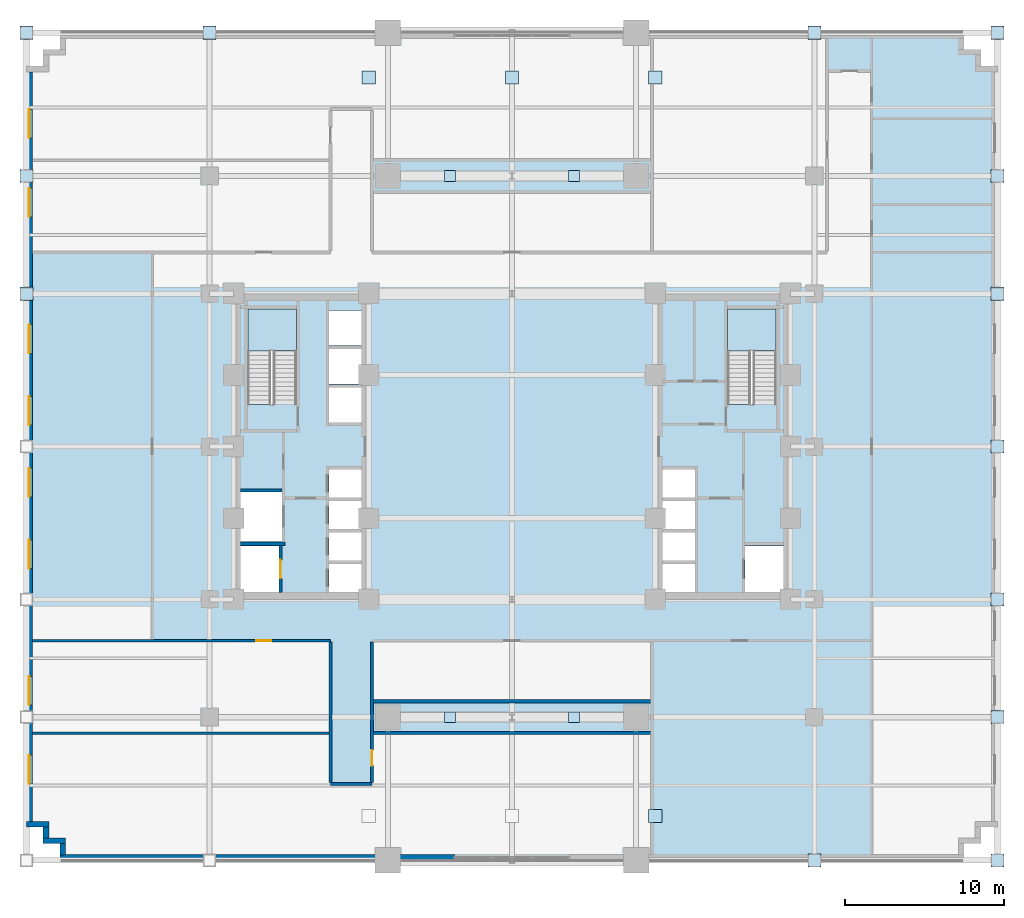
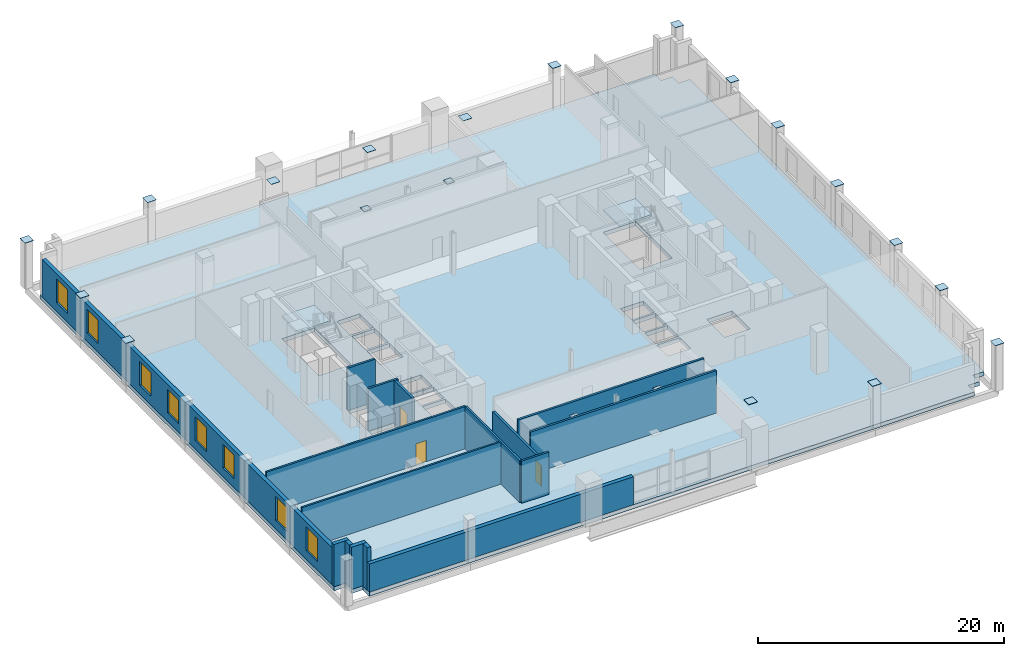
# One storey, part 6 of 17: 21 plates, 16 walls, 8 windows, 3 doors, 3 slabs, 11 openings, 2 elements without a shape of their own.
"""IFC4 building model written with IfcOpenShell, lengths in metres."""

import ifcopenshell
import ifcopenshell.guid

model = None  # the IFC model being written
_history = None  # IfcOwnerHistory: only IFC2X3 demands one
_inside = {}  # id of a spatial element -> (the spatial element, [elements in it])
_under = {}  # id of a project, library or spatial element -> (it, [spatial elements below it])
_declared = {}  # id of a project -> (the project, [libraries it declares])
_typed = {}  # id of a type object -> (the type object, [elements of that type])
_made_of = {}  # id of a material, layer set ... -> (it, [elements and type objects made of it])


def new_model(schema):
    """Start an empty IFC model of exactly this schema.

    Asked for "IFC4X3", IfcOpenShell would pick the latest addendum, in which some entities
    have other attributes; the version numbers below select the first issue.
    IFC2X3 requires an IfcOwnerHistory on every rooted entity: one is made here for all.
    """
    global model, _history
    if schema == "IFC4X3":
        model = ifcopenshell.file(schema_version=(4, 3, 0, 0))
    else:
        model = ifcopenshell.file(schema=schema)
    _inside.clear()
    _under.clear()
    _declared.clear()
    _typed.clear()
    _made_of.clear()
    _history = None
    if model.schema == "IFC2X3":
        org = make("IfcOrganization", Name="unknown")
        user = make(
            "IfcPersonAndOrganization",
            ThePerson=make("IfcPerson", FamilyName="unknown"),
            TheOrganization=org,
        )
        app = make(
            "IfcApplication",
            ApplicationDeveloper=org,
            Version="unknown",
            ApplicationFullName="unknown",
            ApplicationIdentifier="unknown",
        )
        _history = make(
            "IfcOwnerHistory",
            OwningUser=user,
            OwningApplication=app,
            ChangeAction="ADDED",
            CreationDate=0,
        )
    return model


def make(cls, **values):
    """One entity of the class cls with the attributes given. An attribute that is None is left unset."""
    return model.create_entity(
        cls, **{name: value for name, value in values.items() if value is not None}
    )


def rooted(cls, **values):
    """An entity with a GlobalId (a new one), such as an element, a storey or a relation."""
    return make(cls, GlobalId=ifcopenshell.guid.new(), OwnerHistory=_history, **values)


def si_unit(unit_type, name, prefix=None):
    """IfcSIUnit, for example si_unit("LENGTHUNIT", "METRE", prefix="MILLI")."""
    return make("IfcSIUnit", UnitType=unit_type, Prefix=prefix, Name=name)


def assignment(units):
    """IfcUnitAssignment: the units of a project."""
    return None if units is None else make("IfcUnitAssignment", Units=units)


def point(xyz):
    """IfcCartesianPoint."""
    return None if xyz is None else make("IfcCartesianPoint", Coordinates=xyz)


def direction(xyz):
    """IfcDirection."""
    return None if xyz is None else make("IfcDirection", DirectionRatios=xyz)


def frame(location, z_axis=None, x_axis=None):
    """IfcAxis2Placement3D, a coordinate frame: its origin and axes. An axis left out is left unset."""
    return make(
        "IfcAxis2Placement3D",
        Location=point(location),
        Axis=direction(z_axis),
        RefDirection=direction(x_axis),
    )


def frame_2d(location, x_axis=None):
    """IfcAxis2Placement2D, a coordinate frame in the plane: its origin and x axis."""
    return make(
        "IfcAxis2Placement2D", Location=point(location), RefDirection=direction(x_axis)
    )


def origin():
    """The frame at (0, 0, 0) with its axes left unset."""
    return frame((0.0, 0.0, 0.0))


def origin_2d():
    """The frame at (0, 0) in the plane with its x axis left unset."""
    return frame_2d((0.0, 0.0))


def place(relative_to, where):
    """IfcLocalPlacement: puts the frame where relative to a parent placement (None: the world)."""
    return make(
        "IfcLocalPlacement", PlacementRelTo=relative_to, RelativePlacement=where
    )


def context(
    kind, dimensions, precision=None, world=None, true_north=None, identifier=None
):
    """IfcGeometricRepresentationContext, for example the 3D "Model" context."""
    return make(
        "IfcGeometricRepresentationContext",
        ContextIdentifier=identifier,
        ContextType=kind,
        CoordinateSpaceDimension=dimensions,
        Precision=precision,
        WorldCoordinateSystem=world,
        TrueNorth=true_north,
    )


def subcontext(parent, identifier, kind, view, scale=None):
    """IfcGeometricRepresentationSubContext, for example "Body" below "Model"."""
    return make(
        "IfcGeometricRepresentationSubContext",
        ContextIdentifier=identifier,
        ContextType=kind,
        ParentContext=parent,
        TargetScale=scale,
        TargetView=view,
    )


def project(units=None, contexts=None):
    """IfcProject with its units and contexts."""
    return rooted(
        "IfcProject",
        Name="project",
        RepresentationContexts=contexts,
        UnitsInContext=assignment(units),
    )


def spatial(cls, under=None, at=None, **own):
    """A site, building, storey or space (cls), placed at a placement, below another one or the project."""
    s = rooted(cls, ObjectPlacement=at, **own)
    if under is not None:
        _under.setdefault(under.id(), (under, []))[1].append(s)
    return s


def polyline(points):
    """IfcPolyline through the points."""
    return make("IfcPolyline", Points=[point(p) for p in points])


def profile(cls, at=None, kind="AREA", **sizes):
    """A parametric profile (cls). Its sizes go by their IFC names, for example OverallWidth=200.0."""
    return make(cls, ProfileType=kind, Position=at, **sizes)


def rectangle(**sizes):
    """IfcRectangleProfileDef."""
    return profile("IfcRectangleProfileDef", **sizes)


def outline(outer, holes=None, kind="AREA"):
    """IfcArbitraryClosedProfileDef: a profile drawn as a closed curve; with holes, ...WithVoids."""
    if holes is None:
        return make("IfcArbitraryClosedProfileDef", ProfileType=kind, OuterCurve=outer)
    return make(
        "IfcArbitraryProfileDefWithVoids",
        ProfileType=kind,
        OuterCurve=outer,
        InnerCurves=holes,
    )


def extrude(swept, where, along, depth):
    """IfcExtrudedAreaSolid: the profile swept, set in the frame where, extruded along a direction by depth."""
    return make(
        "IfcExtrudedAreaSolid",
        SweptArea=swept,
        Position=where,
        ExtrudedDirection=direction(along),
        Depth=depth,
    )


def shape(context_of_items, identifier, shape_type, items):
    """IfcShapeRepresentation: the items that make up one representation, for example the "Body"."""
    return make(
        "IfcShapeRepresentation",
        ContextOfItems=context_of_items,
        RepresentationIdentifier=identifier,
        RepresentationType=shape_type,
        Items=items,
    )


def source(mapping_origin, context_of_items, identifier, shape_type, items):
    """IfcRepresentationMap: a shape defined once, which mapped items show again and again."""
    return make(
        "IfcRepresentationMap",
        MappingOrigin=mapping_origin,
        MappedRepresentation=shape(context_of_items, identifier, shape_type, items),
    )


def transform(
    local_origin,
    x_axis=None,
    y_axis=None,
    z_axis=None,
    scale=None,
    scale2=None,
    scale3=None,
    uniform=True,
):
    """IfcCartesianTransformationOperator3D, or its non-uniform kind. x_axis, y_axis, z_axis: its Axis1, 2, 3."""
    if uniform:
        return make(
            "IfcCartesianTransformationOperator3D",
            Axis1=direction(x_axis),
            Axis2=direction(y_axis),
            LocalOrigin=point(local_origin),
            Scale=scale,
            Axis3=direction(z_axis),
        )
    return make(
        "IfcCartesianTransformationOperator3DnonUniform",
        Axis1=direction(x_axis),
        Axis2=direction(y_axis),
        LocalOrigin=point(local_origin),
        Scale=scale,
        Axis3=direction(z_axis),
        Scale2=scale2,
        Scale3=scale3,
    )


def mapped(mapping_source, mapping_target):
    """IfcMappedItem: shows the shape of a source again, moved by a transform."""
    return make(
        "IfcMappedItem", MappingSource=mapping_source, MappingTarget=mapping_target
    )


def material(Name=None, Category=None):
    """IfcMaterial."""
    return make("IfcMaterial", Name=Name, Category=Category)


def layer(
    of_material, thickness, ventilated=None, Name=None, Category=None, Priority=None
):
    """IfcMaterialLayer: one layer of a wall or slab, of a material (None: an air gap)."""
    return make(
        "IfcMaterialLayer",
        Material=of_material,
        LayerThickness=thickness,
        IsVentilated=ventilated,
        Name=Name,
        Category=Category,
        Priority=Priority,
    )


def layer_set(layers, Name=None):
    """IfcMaterialLayerSet."""
    return make("IfcMaterialLayerSet", MaterialLayers=layers, LayerSetName=Name)


def made_of(thing, what):
    """Note that an element or type object is made of a material, layer set ...; save() writes the relation."""
    if what is not None:
        _made_of.setdefault(what.id(), (what, []))[1].append(thing)
    return thing


def type_object(cls, material=None, **own):
    """A type object (cls), such as IfcWallType, which elements share."""
    return made_of(rooted(cls, **own), material)


def type_shapes(of_type, sources):
    """Give a type object the sources (RepresentationMaps) that its elements show as mapped items."""
    of_type.RepresentationMaps = sources


def element(
    cls,
    number,
    at=None,
    inside=None,
    cuts=None,
    type_object=None,
    material=None,
    context=None,
    identifier="Body",
    shape_type=None,
    held_by="IfcProductDefinitionShape",
    body=None,
    shapes=None,
    **own,
):
    """One element of the class cls, such as IfcWall. Its Tag is "e" and its number.

    at: its placement. inside: the storey or other place that contains it. cuts: it is an
    opening in that element (IfcRelVoidsElement). A single representation is given by context,
    identifier, shape_type and body (its items); several are given by shapes. held_by: the class
    of the entity that holds the representations. save() writes the other relations.
    """
    e = rooted(cls, Tag="e%d" % number, ObjectPlacement=at, **own)
    if body is not None:
        shapes = [shape(context, identifier, shape_type, body)]
    if shapes is not None:
        e.Representation = make(held_by, Representations=shapes)
    if inside is not None:
        _inside.setdefault(inside.id(), (inside, []))[1].append(e)
    if cuts is not None:
        rooted(
            "IfcRelVoidsElement", RelatingBuildingElement=cuts, RelatedOpeningElement=e
        )
    if type_object is not None:
        _typed.setdefault(type_object.id(), (type_object, []))[1].append(e)
    return made_of(e, material)


def fill(opening, filler):
    """IfcRelFillsElement: the door or window that sits in an opening."""
    return rooted(
        "IfcRelFillsElement",
        RelatingOpeningElement=opening,
        RelatedBuildingElement=filler,
    )


def aggregate(whole, parts):
    """IfcRelAggregates: a whole, such as a stair, and the parts it consists of."""
    return rooted("IfcRelAggregates", RelatingObject=whole, RelatedObjects=parts)


def save(model, path):
    """Write the relations noted so far, then the file.

    IfcRelAggregates (storeys below a building ...), IfcRelContainedInSpatialStructure (elements
    in a storey), IfcRelDefinesByType, IfcRelAssociatesMaterial and IfcRelDeclares: one each for
    every whole, place, type object, material and project.
    """
    for whole, parts in _under.values():
        aggregate(whole, parts)
    for where, things in _inside.values():
        rooted(
            "IfcRelContainedInSpatialStructure",
            RelatedElements=things,
            RelatingStructure=where,
        )
    for kind, things in _typed.values():
        rooted("IfcRelDefinesByType", RelatedObjects=things, RelatingType=kind)
    for what, things in _made_of.values():
        rooted("IfcRelAssociatesMaterial", RelatedObjects=things, RelatingMaterial=what)
    for by, libraries in _declared.values():
        rooted("IfcRelDeclares", RelatingContext=by, RelatedDefinitions=libraries)
    model.write(path)


model = new_model("IFC4")

# Units and contexts
model_context = context("Model", 3, precision=1e-05, world=origin(), true_north=direction((0.0, 1.0)))
body_context = subcontext(model_context, "Body", "Model", "MODEL_VIEW")
ifc_project = project(units=[si_unit("LENGTHUNIT", "METRE"), si_unit("AREAUNIT", "SQUARE_METRE"), si_unit("VOLUMEUNIT", "CUBIC_METRE"), si_unit("PLANEANGLEUNIT", "RADIAN"), si_unit("MASSUNIT", "GRAM", prefix="KILO")], contexts=[model_context])

# Site, building, storey
site_placement = place(None, origin())
site = spatial("IfcSite", under=ifc_project, at=site_placement, CompositionType="ELEMENT")
building_placement = place(site_placement, origin())
building = spatial("IfcBuilding", under=site, at=building_placement, Name="Nuvemarco Arch Tower", CompositionType="ELEMENT")
storey_placement = place(building_placement, frame((0.0, 0.0, 23.0)))
storey = spatial("IfcBuildingStorey", under=building, at=storey_placement, Name="L05", CompositionType="ELEMENT", Elevation=23.0)

# Slab
ifc_material_1 = material(Name="Concrete C60/75", Category="concrete")
ifc_layer_1 = layer(ifc_material_1, 0.39990234375, Name="SL-FLR-400")
ifc_layer_set_1 = layer_set([ifc_layer_1], Name="Concrete C60/75")
slab_type_1 = type_object("IfcSlabType", Name="SL-FLR-400", PredefinedType="FLOOR", material=ifc_layer_set_1)
slab_1_placement = place(storey_placement, frame((0.0, 0.0, -0.39990234375)))
element("IfcSlab", 1, at=slab_1_placement, inside=storey, type_object=slab_type_1, Name="L05 structural floor slab", PredefinedType="FLOOR", context=body_context, shape_type="SweptSolid", body=[
    extrude(outline(polyline([(-28.39990234375, -26.0), (28.39990234375, -26.0), (28.39990234375, -24.949951171875), (29.449951171875, -24.949951171875), (29.449951171875, -23.89990234375), (30.5, -23.89990234375), (30.5, 23.89990234375), (29.449951171875, 23.89990234375), (29.449951171875, 24.949951171875), (28.39990234375, 24.949951171875), (28.39990234375, 26.0), (-28.39990234375, 26.0), (-28.39990234375, 24.949951171875), (-29.449951171875, 24.949951171875), (-29.449951171875, 23.89990234375), (-30.5, 23.89990234375), (-30.5, -23.89990234375), (-29.449951171875, -23.89990234375), (-29.449951171875, -24.949951171875), (-28.39990234375, -24.949951171875), (-28.39990234375, -26.0)]), holes=[polyline([(-13.5400390625, 2.669921875), (-13.5400390625, 8.64990234375), (-16.60009765625, 8.64990234375), (-16.60009765625, 2.630615234375), (-15.070068359375, 2.630615234375), (-15.070068359375, 2.669921875), (-13.5400390625, 2.669921875)]), polyline([(16.60009765625, 2.669921875), (16.60009765625, 8.64990234375), (13.5400390625, 8.64990234375), (13.5400390625, 2.630615234375), (15.070068359375, 2.630615234375), (15.070068359375, 2.669921875), (16.60009765625, 2.669921875)]), polyline([(-17.050048828125, -9.14990234375), (-14.64990234375, -9.14990234375), (-14.64990234375, -6.25), (-17.050048828125, -6.25), (-17.050048828125, -9.14990234375)]), polyline([(-17.050048828125, -5.949951171875), (-14.449951171875, -5.949951171875), (-14.449951171875, -2.85009765625), (-17.050048828125, -2.85009765625), (-17.050048828125, -5.949951171875)]), polyline([(-11.5, -9.14990234375), (-9.35009765625, -9.14990234375), (-9.35009765625, -7.3701171875), (-11.5, -7.3701171875), (-11.5, -9.14990234375)]), polyline([(-11.5, -7.169921875), (-9.35009765625, -7.169921875), (-9.35009765625, -5.389892578125), (-11.5, -5.389892578125), (-11.5, -7.169921875)]), polyline([(-11.5, -5.18994140625), (-9.35009765625, -5.18994140625), (-9.35009765625, -3.409912109375), (-11.5, -3.409912109375), (-11.5, -5.18994140625)]), polyline([(-11.5, -3.2099609375), (-9.35009765625, -3.2099609375), (-9.35009765625, -1.429931640625), (-11.5, -1.429931640625), (-11.5, -3.2099609375)]), polyline([(-11.5, 1.5), (-9.35009765625, 1.5), (-9.35009765625, 3.699951171875), (-11.5, 3.699951171875), (-11.5, 1.5)]), polyline([(-11.5, 3.919921875), (-9.35009765625, 3.919921875), (-9.35009765625, 6.1201171875), (-11.5, 6.1201171875), (-11.5, 3.919921875)]), polyline([(-11.5, 6.340087890625), (-9.35009765625, 6.340087890625), (-9.35009765625, 8.5400390625), (-11.5, 8.5400390625), (-11.5, 6.340087890625)]), polyline([(14.64990234375, -9.14990234375), (17.050048828125, -9.14990234375), (17.050048828125, -6.25), (14.64990234375, -6.25), (14.64990234375, -9.14990234375)]), polyline([(9.35009765625, -9.14990234375), (11.5, -9.14990234375), (11.5, -7.3701171875), (9.35009765625, -7.3701171875), (9.35009765625, -9.14990234375)]), polyline([(9.35009765625, -7.169921875), (11.5, -7.169921875), (11.5, -5.389892578125), (9.35009765625, -5.389892578125), (9.35009765625, -7.169921875)]), polyline([(9.35009765625, -5.18994140625), (11.5, -5.18994140625), (11.5, -3.409912109375), (9.35009765625, -3.409912109375), (9.35009765625, -5.18994140625)]), polyline([(9.35009765625, -3.2099609375), (11.5, -3.2099609375), (11.5, -1.429931640625), (9.35009765625, -1.429931640625), (9.35009765625, -3.2099609375)])]), origin(), (0.0, 0.0, 1.0), 0.39990234375),
])

# Stair, slab
ifc_material_2 = material(Name="Precast concrete C45/55", Category="concrete")
stair_type = type_object("IfcStairType", Name="ST-CORE-26R", PredefinedType="HALF_TURN_STAIR", material=ifc_material_2)
stair_1_placement = place(storey_placement, origin())
stair_1 = element("IfcStair", 2, at=stair_1_placement, inside=storey, type_object=stair_type, Name="L05 Protected Exit Stair ST-1", PredefinedType="HALF_TURN_STAIR")
ifc_layer_2 = layer(ifc_material_2, 0.199951171875, Name="SL-LANDING-200")
ifc_layer_set_2 = layer_set([ifc_layer_2], Name="Precast concrete C45/55")
slab_type_2 = type_object("IfcSlabType", Name="SL-LANDING-200", PredefinedType="LANDING", material=ifc_layer_set_2)
slab_2_placement = place(storey_placement, frame((0.0, 0.0, 2.10009765625)))
slab_2 = element("IfcSlab", 3, at=slab_2_placement, type_object=slab_type_2, Name="ST-26R landing 1", PredefinedType="LANDING", context=body_context, shape_type="SweptSolid", body=[
    extrude(outline(polyline([(-13.5400390625, 6.029296875), (-13.5400390625, 8.64990234375), (-16.60009765625, 8.64990234375), (-16.60009765625, 6.010009765625), (-15.070068359375, 6.010009765625), (-15.070068359375, 6.029296875), (-13.5400390625, 6.029296875)])), origin(), (0.0, 0.0, 1.0), 0.199951171875),
])
aggregate(stair_1, [slab_2])

stair_2_placement = place(storey_placement, origin())
stair_2 = element("IfcStair", 4, at=stair_2_placement, inside=storey, type_object=stair_type, Name="L05 Protected Exit Stair ST-2", PredefinedType="HALF_TURN_STAIR")
slab_3_placement = place(storey_placement, frame((0.0, 0.0, 2.10009765625)))
slab_3 = element("IfcSlab", 5, at=slab_3_placement, type_object=slab_type_2, Name="ST-26R landing 1", PredefinedType="LANDING", context=body_context, shape_type="SweptSolid", body=[
    extrude(outline(polyline([(16.60009765625, 6.029296875), (16.60009765625, 8.64990234375), (13.5400390625, 8.64990234375), (13.5400390625, 6.010009765625), (15.070068359375, 6.010009765625), (15.070068359375, 6.029296875), (16.60009765625, 6.029296875)])), origin(), (0.0, 0.0, 1.0), 0.199951171875),
])
aggregate(stair_2, [slab_3])

# Plates
ifc_material_3 = material(Name="Steel S355", Category="steel")
ifc_layer_3 = layer(ifc_material_3, 0.030029296875, Name="PL-CAP-650")
ifc_layer_set_3 = layer_set([ifc_layer_3], Name="Steel S355")
plate_type_1 = type_object("IfcPlateType", Name="PL-CAP-650", PredefinedType="SHEET", material=ifc_layer_set_3)
shared_shape_1 = source(origin(), body_context, "Body", "SweptSolid", [
    extrude(rectangle(XDim=0.669921875, YDim=0.669921875, at=origin_2d()), origin(), (0.0, 0.0, 1.0), 0.030029296875),
])
type_shapes(plate_type_1, [shared_shape_1])
for number, where, z_axis, x_axis, name in (
    (6, (-3.89990234375, -17.0, 3.384765625), (0.0, 0.0, 1.0), (1.0, 0.0, 0.0), "Hollow steel end-cap plate AT_DG_L05_-17.0_0_C1"),
    (7, (3.89990234375, -17.0, 3.384765625), (0.0, 0.0, 1.0), (1.0, 0.0, 0.0), "Hollow steel end-cap plate AT_DG_L05_-17.0_2_C1"),
    (8, (-3.89990234375, 17.0, 3.384765625), (0.0, 0.0, 1.0), (1.0, 0.0, 0.0), "Hollow steel end-cap plate AT_DG_L05_+17.0_0_C1"),
    (9, (3.89990234375, 17.0, 3.384765625), (0.0, 0.0, 1.0), (1.0, 0.0, 0.0), "Hollow steel end-cap plate AT_DG_L05_+17.0_2_C1"),
):
    element("IfcPlate", number, at=place(storey_placement, frame(where, z_axis=z_axis, x_axis=x_axis)), inside=storey, type_object=plate_type_1, Name=name, PredefinedType="SHEET", context=body_context, shape_type="MappedRepresentation", body=[
        mapped(shared_shape_1, transform((0.0, 0.0, 0.0), scale=1.0)),
    ])
ifc_material_4 = material(Name="Steel S460", Category="steel")
ifc_layer_4 = layer(ifc_material_4, 0.030029296875, Name="PL-CAP-800-EXT")
ifc_layer_set_4 = layer_set([ifc_layer_4], Name="Steel S460")
plate_type_2 = type_object("IfcPlateType", Name="PL-CAP-800-EXT", PredefinedType="SHEET", material=ifc_layer_set_4)
shared_shape_2 = source(origin(), body_context, "Body", "SweptSolid", [
    extrude(rectangle(XDim=0.820068359375, YDim=0.820068359375, at=origin_2d()), origin(), (0.0, 0.0, 1.0), 0.030029296875),
])
type_shapes(plate_type_2, [shared_shape_2])
for number, where, z_axis, x_axis, name in (
    (10, (-30.5, 9.60009765625, 4.18505859375), (0.0, 0.0, 1.0), (1.0, 0.0, 0.0), "Hollow steel end-cap plate COL-L05-CP_-30.5_+9.6_TOP"),
    (11, (-30.5, 17.0, 4.18505859375), (0.0, 0.0, 1.0), (1.0, 0.0, 0.0), "Hollow steel end-cap plate COL-L05-CP_-30.5_+17.0_TOP"),
    (12, (-30.5, 26.0, 4.18505859375), (0.0, 0.0, 1.0), (1.0, 0.0, 0.0), "Hollow steel end-cap plate COL-L05-CP_-30.5_+26.0_TOP"),
    (13, (-19.0, 26.0, 4.18505859375), (0.0, 0.0, 1.0), (1.0, 0.0, 0.0), "Hollow steel end-cap plate COL-L05-CP_-19.0_+26.0_TOP"),
    (14, (19.0, -26.0, 4.18505859375), (0.0, 0.0, 1.0), (1.0, 0.0, 0.0), "Hollow steel end-cap plate COL-L05-CP_+19.0_-26.0_TOP"),
    (15, (19.0, 26.0, 4.18505859375), (0.0, 0.0, 1.0), (1.0, 0.0, 0.0), "Hollow steel end-cap plate COL-L05-CP_+19.0_+26.0_TOP"),
    (16, (30.5, -26.0, 4.18505859375), (0.0, 0.0, 1.0), (1.0, 0.0, 0.0), "Hollow steel end-cap plate COL-L05-CP_+30.5_-26.0_TOP"),
    (17, (30.5, -17.0, 4.18505859375), (0.0, 0.0, 1.0), (1.0, 0.0, 0.0), "Hollow steel end-cap plate COL-L05-CP_+30.5_-17.0_TOP"),
    (18, (30.5, -9.60009765625, 4.18505859375), (0.0, 0.0, 1.0), (1.0, 0.0, 0.0), "Hollow steel end-cap plate COL-L05-CP_+30.5_-9.6_TOP"),
    (19, (30.5, 0.0, 4.18505859375), (0.0, 0.0, 1.0), (1.0, 0.0, 0.0), "Hollow steel end-cap plate COL-L05-CP_+30.5_+0.0_TOP"),
    (20, (30.5, 9.60009765625, 4.18505859375), (0.0, 0.0, 1.0), (1.0, 0.0, 0.0), "Hollow steel end-cap plate COL-L05-CP_+30.5_+9.6_TOP"),
    (21, (30.5, 17.0, 4.18505859375), (0.0, 0.0, 1.0), (1.0, 0.0, 0.0), "Hollow steel end-cap plate COL-L05-CP_+30.5_+17.0_TOP"),
    (22, (30.5, 26.0, 4.18505859375), (0.0, 0.0, 1.0), (1.0, 0.0, 0.0), "Hollow steel end-cap plate COL-L05-CP_+30.5_+26.0_TOP"),
    (23, (9.0, -23.199951171875, 4.18505859375), (0.0, 0.0, 1.0), (1.0, 0.0, 0.0), "Hollow steel end-cap plate COL-L06-CY_+9.0_-23.2_BOT"),
    (24, (-9.0, 23.199951171875, 4.18505859375), (0.0, 0.0, 1.0), (1.0, 0.0, 0.0), "Hollow steel end-cap plate COL-L06-CY_-9.0_+23.2_BOT"),
    (25, (0.0, 23.199951171875, 4.18505859375), (0.0, 0.0, 1.0), (1.0, 0.0, 0.0), "Hollow steel end-cap plate COL-L06-CY_+0.0_+23.2_BOT"),
    (26, (9.0, 23.199951171875, 4.18505859375), (0.0, 0.0, 1.0), (1.0, 0.0, 0.0), "Hollow steel end-cap plate COL-L06-CY_+9.0_+23.2_BOT"),
):
    element("IfcPlate", number, at=place(storey_placement, frame(where, z_axis=z_axis, x_axis=x_axis)), inside=storey, type_object=plate_type_2, Name=name, PredefinedType="SHEET", context=body_context, shape_type="MappedRepresentation", body=[
        mapped(shared_shape_2, transform((0.0, 0.0, 0.0), scale=1.0)),
    ])

# Wall
ifc_layer_5 = layer(ifc_material_2, 0.360107421875, Name="EW-POD-360")
ifc_layer_set_5 = layer_set([ifc_layer_5], Name="Precast concrete C45/55")
wall_type_1 = type_object("IfcWallType", Name="EW-POD-360", PredefinedType="STANDARD", material=ifc_layer_set_5)
wall_1_placement = place(storey_placement, frame((-28.39990234375, -25.820068359375, 0.0), z_axis=(0.0, 0.0, 1.0), x_axis=(1.0, 0.0, 0.0)))
element("IfcWall", 27, at=wall_1_placement, inside=storey, type_object=wall_type_1, Name="L05 exterior precast pier wall south left", PredefinedType="STANDARD", context=body_context, shape_type="SweptSolid", body=[
    extrude(rectangle(XDim=24.7998046875, YDim=0.360107421875, at=frame_2d((12.39990234375, 0.0))), origin(), (0.0, 0.0, 1.0), 2.784912109375),
])

# Wall, openings, windows
wall_2_placement = place(storey_placement, frame((-30.320068359375, -23.5439453125, 0.0), z_axis=(0.0, 0.0, 1.0), x_axis=(0.0, 1.0, 0.0)))
wall_2 = element("IfcWall", 28, at=wall_2_placement, inside=storey, type_object=wall_type_1, Name="L05 exterior precast facade wall 16", PredefinedType="STANDARD", context=body_context, shape_type="SweptSolid", body=[
    extrude(rectangle(XDim=47.087890625, YDim=0.360107421875, at=frame_2d((23.5439453125, 0.0))), origin(), (0.0, 0.0, 1.0), 3.701904296875),
])
opening_1_placement = place(wall_2_placement, frame((2.3544921875, 0.0, 0.85009765625)))
opening_1 = element("IfcOpeningElement", 29, at=opening_1_placement, cuts=wall_2, Name="Opening WN-2", PredefinedType="OPENING", context=body_context, shape_type="SweptSolid", body=[
    extrude(rectangle(XDim=1.800048828125, YDim=2.35009765625, at=frame_2d((0.89990234375, 1.175048828125))), frame((0.0, 0.18994140625, 0.0), z_axis=(0.0, -1.0, 0.0), x_axis=(1.0, 0.0, 0.0)), (0.0, 0.0, 1.0), 0.380126953125),
])
opening_2_placement = place(wall_2_placement, frame((7.313232421875, 0.0, 0.85009765625)))
opening_2 = element("IfcOpeningElement", 30, at=opening_2_placement, cuts=wall_2, Name="Opening WN-2", PredefinedType="OPENING", context=body_context, shape_type="SweptSolid", body=[
    extrude(rectangle(XDim=1.800048828125, YDim=2.35009765625, at=frame_2d((0.89990234375, 1.175048828125))), frame((0.0, 0.18994140625, 0.0), z_axis=(0.0, -1.0, 0.0), x_axis=(1.0, 0.0, 0.0)), (0.0, 0.0, 1.0), 0.380126953125),
])
opening_3_placement = place(wall_2_placement, frame((15.880859375, 0.0, 0.85009765625)))
opening_3 = element("IfcOpeningElement", 31, at=opening_3_placement, cuts=wall_2, Name="Opening WN-2", PredefinedType="OPENING", context=body_context, shape_type="SweptSolid", body=[
    extrude(rectangle(XDim=1.800048828125, YDim=2.35009765625, at=frame_2d((0.89990234375, 1.175048828125))), frame((0.0, 0.18994140625, 0.0), z_axis=(0.0, -1.0, 0.0), x_axis=(1.0, 0.0, 0.0)), (0.0, 0.0, 1.0), 0.380126953125),
])
opening_4_placement = place(wall_2_placement, frame((20.3896484375, 0.0, 0.85009765625)))
opening_4 = element("IfcOpeningElement", 32, at=opening_4_placement, cuts=wall_2, Name="Opening WN-2", PredefinedType="OPENING", context=body_context, shape_type="SweptSolid", body=[
    extrude(rectangle(XDim=1.800048828125, YDim=2.35009765625, at=frame_2d((0.89990234375, 1.175048828125))), frame((0.0, 0.18994140625, 0.0), z_axis=(0.0, -1.0, 0.0), x_axis=(1.0, 0.0, 0.0)), (0.0, 0.0, 1.0), 0.380126953125),
])
opening_5_placement = place(wall_2_placement, frame((24.8984375, 0.0, 0.85009765625)))
opening_5 = element("IfcOpeningElement", 33, at=opening_5_placement, cuts=wall_2, Name="Opening WN-2", PredefinedType="OPENING", context=body_context, shape_type="SweptSolid", body=[
    extrude(rectangle(XDim=1.800048828125, YDim=2.35009765625, at=frame_2d((0.89990234375, 1.175048828125))), frame((0.0, 0.18994140625, 0.0), z_axis=(0.0, -1.0, 0.0), x_axis=(1.0, 0.0, 0.0)), (0.0, 0.0, 1.0), 0.380126953125),
])
opening_6_placement = place(wall_2_placement, frame((29.4072265625, 0.0, 0.85009765625)))
opening_6 = element("IfcOpeningElement", 34, at=opening_6_placement, cuts=wall_2, Name="Opening WN-2", PredefinedType="OPENING", context=body_context, shape_type="SweptSolid", body=[
    extrude(rectangle(XDim=1.800048828125, YDim=2.35009765625, at=frame_2d((0.89990234375, 1.175048828125))), frame((0.0, 0.18994140625, 0.0), z_axis=(0.0, -1.0, 0.0), x_axis=(1.0, 0.0, 0.0)), (0.0, 0.0, 1.0), 0.380126953125),
])
opening_7_placement = place(wall_2_placement, frame((37.974853515625, 0.0, 0.85009765625)))
opening_7 = element("IfcOpeningElement", 35, at=opening_7_placement, cuts=wall_2, Name="Opening WN-2", PredefinedType="OPENING", context=body_context, shape_type="SweptSolid", body=[
    extrude(rectangle(XDim=1.800048828125, YDim=2.35009765625, at=frame_2d((0.89990234375, 1.175048828125))), frame((0.0, 0.18994140625, 0.0), z_axis=(0.0, -1.0, 0.0), x_axis=(1.0, 0.0, 0.0)), (0.0, 0.0, 1.0), 0.380126953125),
])
opening_8_placement = place(wall_2_placement, frame((42.93359375, 0.0, 0.85009765625)))
opening_8 = element("IfcOpeningElement", 36, at=opening_8_placement, cuts=wall_2, Name="Opening WN-2", PredefinedType="OPENING", context=body_context, shape_type="SweptSolid", body=[
    extrude(rectangle(XDim=1.800048828125, YDim=2.35009765625, at=frame_2d((0.89990234375, 1.175048828125))), frame((0.0, 0.18994140625, 0.0), z_axis=(0.0, -1.0, 0.0), x_axis=(1.0, 0.0, 0.0)), (0.0, 0.0, 1.0), 0.380126953125),
])
ifc_material_5 = material(Name="Insulated solar-control glass", Category="glass")
window_type = type_object("IfcWindowType", Name="WN-POD-1800x2350", PartitioningType="DOUBLE_PANEL_VERTICAL", PredefinedType="WINDOW", material=ifc_material_5)
shared_shape_3 = source(origin(), body_context, "Body", "SweptSolid", [
    extrude(rectangle(XDim=1.800048828125, YDim=2.35009765625, at=frame_2d((0.89990234375, 1.175048828125))), frame((0.0, 0.030029296875, 0.0), z_axis=(0.0, -1.0, 0.0), x_axis=(1.0, 0.0, 0.0)), (0.0, 0.0, 1.0), 0.06005859375),
])
type_shapes(window_type, [shared_shape_3])
window_1_placement = place(opening_1_placement, origin())
window_1 = element("IfcWindow", 37, at=window_1_placement, inside=storey, type_object=window_type, Name="L05 punched facade window 1", OverallHeight=2.35009765625, OverallWidth=1.800048828125, PartitioningType="SINGLE_PANEL", PredefinedType="WINDOW", context=body_context, shape_type="MappedRepresentation", body=[
    mapped(shared_shape_3, transform((0.0, 0.0, 0.0), scale=1.0)),
])
fill(opening_1, window_1)
window_2_placement = place(opening_2_placement, origin())
window_2 = element("IfcWindow", 38, at=window_2_placement, inside=storey, type_object=window_type, Name="L05 punched facade window 2", OverallHeight=2.35009765625, OverallWidth=1.800048828125, PartitioningType="SINGLE_PANEL", PredefinedType="WINDOW", context=body_context, shape_type="MappedRepresentation", body=[
    mapped(shared_shape_3, transform((0.0, 0.0, 0.0), scale=1.0)),
])
fill(opening_2, window_2)
window_3_placement = place(opening_3_placement, origin())
window_3 = element("IfcWindow", 39, at=window_3_placement, inside=storey, type_object=window_type, Name="L05 punched facade window 4", OverallHeight=2.35009765625, OverallWidth=1.800048828125, PartitioningType="SINGLE_PANEL", PredefinedType="WINDOW", context=body_context, shape_type="MappedRepresentation", body=[
    mapped(shared_shape_3, transform((0.0, 0.0, 0.0), scale=1.0)),
])
fill(opening_3, window_3)
window_4_placement = place(opening_4_placement, origin())
window_4 = element("IfcWindow", 40, at=window_4_placement, inside=storey, type_object=window_type, Name="L05 punched facade window 5", OverallHeight=2.35009765625, OverallWidth=1.800048828125, PartitioningType="SINGLE_PANEL", PredefinedType="WINDOW", context=body_context, shape_type="MappedRepresentation", body=[
    mapped(shared_shape_3, transform((0.0, 0.0, 0.0), scale=1.0)),
])
fill(opening_4, window_4)
window_5_placement = place(opening_5_placement, origin())
window_5 = element("IfcWindow", 41, at=window_5_placement, inside=storey, type_object=window_type, Name="L05 punched facade window 6", OverallHeight=2.35009765625, OverallWidth=1.800048828125, PartitioningType="SINGLE_PANEL", PredefinedType="WINDOW", context=body_context, shape_type="MappedRepresentation", body=[
    mapped(shared_shape_3, transform((0.0, 0.0, 0.0), scale=1.0)),
])
fill(opening_5, window_5)
window_6_placement = place(opening_6_placement, origin())
window_6 = element("IfcWindow", 42, at=window_6_placement, inside=storey, type_object=window_type, Name="L05 punched facade window 7", OverallHeight=2.35009765625, OverallWidth=1.800048828125, PartitioningType="SINGLE_PANEL", PredefinedType="WINDOW", context=body_context, shape_type="MappedRepresentation", body=[
    mapped(shared_shape_3, transform((0.0, 0.0, 0.0), scale=1.0)),
])
fill(opening_6, window_6)
window_7_placement = place(opening_7_placement, origin())
window_7 = element("IfcWindow", 43, at=window_7_placement, inside=storey, type_object=window_type, Name="L05 punched facade window 9", OverallHeight=2.35009765625, OverallWidth=1.800048828125, PartitioningType="SINGLE_PANEL", PredefinedType="WINDOW", context=body_context, shape_type="MappedRepresentation", body=[
    mapped(shared_shape_3, transform((0.0, 0.0, 0.0), scale=1.0)),
])
fill(opening_7, window_7)
window_8_placement = place(opening_8_placement, origin())
window_8 = element("IfcWindow", 44, at=window_8_placement, inside=storey, type_object=window_type, Name="L05 punched facade window 10", OverallHeight=2.35009765625, OverallWidth=1.800048828125, PartitioningType="SINGLE_PANEL", PredefinedType="WINDOW", context=body_context, shape_type="MappedRepresentation", body=[
    mapped(shared_shape_3, transform((0.0, 0.0, 0.0), scale=1.0)),
])
fill(opening_8, window_8)

# Walls
wall_3_placement = place(storey_placement, frame((-30.5, -23.719970703125, 0.0), z_axis=(0.0, 0.0, 1.0), x_axis=(1.0, 0.0, 0.0)))
element("IfcWall", 45, at=wall_3_placement, inside=storey, type_object=wall_type_1, Name="L05 exterior precast facade wall 17", PredefinedType="STANDARD", context=body_context, shape_type="SweptSolid", body=[
    extrude(rectangle(XDim=1.409912109375, YDim=0.360107421875, at=frame_2d((0.705078125, 0.0))), origin(), (0.0, 0.0, 1.0), 4.18994140625),
])
wall_4_placement = place(storey_placement, frame((-29.27001953125, -24.593994140625, 0.0), z_axis=(0.0, 0.0, 1.0), x_axis=(0.0, 1.0, 0.0)))
element("IfcWall", 46, at=wall_4_placement, inside=storey, type_object=wall_type_1, Name="L05 exterior precast facade wall 18", PredefinedType="STANDARD", context=body_context, shape_type="SweptSolid", body=[
    extrude(rectangle(XDim=0.697998046875, YDim=0.360107421875, at=frame_2d((0.34912109375, 0.0))), origin(), (0.0, 0.0, 1.0), 4.18994140625),
])
wall_5_placement = place(storey_placement, frame((-29.449951171875, -24.77001953125, 0.0), z_axis=(0.0, 0.0, 1.0), x_axis=(1.0, 0.0, 0.0)))
element("IfcWall", 47, at=wall_5_placement, inside=storey, type_object=wall_type_1, Name="L05 exterior precast facade wall 19", PredefinedType="STANDARD", context=body_context, shape_type="SweptSolid", body=[
    extrude(rectangle(XDim=1.409912109375, YDim=0.360107421875, at=frame_2d((0.705078125, 0.0))), origin(), (0.0, 0.0, 1.0), 4.18994140625),
])
wall_6_placement = place(storey_placement, frame((-28.219970703125, -25.64404296875, 0.0), z_axis=(0.0, 0.0, 1.0), x_axis=(0.0, 1.0, 0.0)))
element("IfcWall", 48, at=wall_6_placement, inside=storey, type_object=wall_type_1, Name="L05 exterior precast facade wall 20", PredefinedType="STANDARD", context=body_context, shape_type="SweptSolid", body=[
    extrude(rectangle(XDim=0.697998046875, YDim=0.360107421875, at=frame_2d((0.34912109375, 0.0))), origin(), (0.0, 0.0, 1.0), 4.18994140625),
])
ifc_material_6 = material(Name="Fire-rated gypsum drywall partition")
ifc_layer_6 = layer(ifc_material_6, 0.179931640625, Name="WL-CORR-180")
ifc_layer_set_6 = layer_set([ifc_layer_6], Name="Fire-rated gypsum drywall partition")
wall_type_2 = type_object("IfcWallType", Name="WL-CORR-180", PredefinedType="PARTITIONING", material=ifc_layer_set_6)
wall_7_placement = place(storey_placement, frame((-11.39990234375, -21.199951171875, 0.0), z_axis=(0.0, 0.0, 1.0), x_axis=(1.0, 0.0, 0.0)))
element("IfcWall", 49, at=wall_7_placement, inside=storey, type_object=wall_type_2, Name="L05 interior wall IW-L05-001", PredefinedType="PARTITIONING", context=body_context, shape_type="SweptSolid", body=[
    extrude(rectangle(XDim=2.599853515625, YDim=0.179931640625, at=frame_2d((1.2998046875, 0.0))), origin(), (0.0, 0.0, 1.0), 4.18994140625),
])

# Wall, opening, door
wall_8_placement = place(storey_placement, frame((-30.139892578125, -12.199951171875, 0.0), z_axis=(0.0, 0.0, 1.0), x_axis=(1.0, 0.0, 0.0)))
wall_8 = element("IfcWall", 50, at=wall_8_placement, inside=storey, type_object=wall_type_2, Name="L05 interior wall IW-L05-005", PredefinedType="PARTITIONING", context=body_context, shape_type="SweptSolid", body=[
    extrude(rectangle(XDim=18.739990234375, YDim=0.179931640625, at=frame_2d((9.3701171875, 0.0))), origin(), (0.0, 0.0, 1.0), 4.18994140625),
])
opening_9_placement = place(wall_8_placement, frame((14.06005859375, 0.0, 0.0)))
opening_9 = element("IfcOpeningElement", 51, at=opening_9_placement, cuts=wall_8, Name="Opening FD-5", PredefinedType="OPENING", context=body_context, shape_type="SweptSolid", body=[
    extrude(rectangle(XDim=0.9599609375, YDim=2.10009765625, at=frame_2d((0.47998046875, 1.050048828125))), frame((0.0, 0.099853515625, 0.0), z_axis=(0.0, -1.0, 0.0), x_axis=(1.0, 0.0, 0.0)), (0.0, 0.0, 1.0), 0.199951171875),
])
ifc_material_7 = material(Name="Timber fire door", Category="wood")
door_type_1 = type_object("IfcDoorType", Name="DR-CORR-FD", OperationType="NOTDEFINED", PredefinedType="DOOR", material=ifc_material_7)
shared_shape_4 = source(origin(), body_context, "Body", "SweptSolid", [
    extrude(rectangle(XDim=0.9599609375, YDim=2.10009765625, at=frame_2d((0.47998046875, 1.050048828125))), frame((0.0, 0.02490234375, 0.0), z_axis=(0.0, -1.0, 0.0), x_axis=(1.0, 0.0, 0.0)), (0.0, 0.0, 1.0), 0.050048828125),
])
type_shapes(door_type_1, [shared_shape_4])
door_1_placement = place(opening_9_placement, origin())
door_1 = element("IfcDoor", 52, at=door_1_placement, inside=storey, type_object=door_type_1, Name="L05 door DR-L05-BRG_SW_OFF", OperationType="SINGLE_SWING_LEFT", OverallHeight=2.10009765625, OverallWidth=0.9599609375, PredefinedType="DOOR", context=body_context, shape_type="MappedRepresentation", body=[
    mapped(shared_shape_4, transform((0.0, 0.0, 0.0), scale=1.0)),
])
fill(opening_9, door_1)

# Walls
wall_9_placement = place(storey_placement, frame((-11.39990234375, -21.114013671875, 0.0), z_axis=(0.0, 0.0, 1.0), x_axis=(0.0, 1.0, 0.0)))
element("IfcWall", 53, at=wall_9_placement, inside=storey, type_object=wall_type_2, Name="L05 interior wall IW-L05-018", PredefinedType="PARTITIONING", context=body_context, shape_type="SweptSolid", body=[
    extrude(rectangle(XDim=8.828125, YDim=0.179931640625, at=frame_2d((4.4140625, 0.0))), origin(), (0.0, 0.0, 1.0), 4.18994140625),
])
ifc_layer_7 = layer(ifc_material_2, 0.199951171875, Name="WL-PLANT-200")
ifc_layer_set_7 = layer_set([ifc_layer_7], Name="Precast concrete C45/55")
wall_type_3 = type_object("IfcWallType", Name="WL-PLANT-200", PredefinedType="STANDARD", material=ifc_layer_set_7)
for number, where, z_axis, x_axis, name in (
    (54, (-8.714111328125, -18.0, 0.0), (0.0, 0.0, 1.0), (1.0, 0.0, 0.0), "L05 interior wall IW-L05-003"),
    (55, (-8.714111328125, -16.0, 0.0), (0.0, 0.0, 1.0), (1.0, 0.0, 0.0), "L05 interior wall IW-L05-004"),
):
    element("IfcWall", number, at=place(storey_placement, frame(where, z_axis=z_axis, x_axis=x_axis)), inside=storey, type_object=wall_type_3, Name=name, PredefinedType="STANDARD", context=body_context, shape_type="SweptSolid", body=[
        extrude(rectangle(XDim=17.447998046875, YDim=0.199951171875, at=frame_2d((8.72412109375, 0.0))), origin(), (0.0, 0.0, 1.0), 4.18994140625),
    ])

# Wall, opening, door
wall_10_placement = place(storey_placement, frame((-8.800048828125, -21.114013671875, 0.0), z_axis=(0.0, 0.0, 1.0), x_axis=(0.0, 1.0, 0.0)))
wall_10 = element("IfcWall", 56, at=wall_10_placement, inside=storey, type_object=wall_type_3, Name="L05 interior wall IW-L05-020", PredefinedType="STANDARD", context=body_context, shape_type="SweptSolid", body=[
    extrude(rectangle(XDim=8.828125, YDim=0.199951171875, at=frame_2d((4.4140625, 0.0))), origin(), (0.0, 0.0, 1.0), 2.784912109375),
])
opening_10_placement = place(wall_10_placement, frame((1.076904296875, 0.0, 0.0)))
opening_10 = element("IfcOpeningElement", 57, at=opening_10_placement, cuts=wall_10, Name="Opening FD-5", PredefinedType="OPENING", context=body_context, shape_type="SweptSolid", body=[
    extrude(rectangle(XDim=0.9599609375, YDim=2.10009765625, at=frame_2d((0.47998046875, 1.050048828125))), frame((0.0, 0.10986328125, 0.0), z_axis=(0.0, -1.0, 0.0), x_axis=(1.0, 0.0, 0.0)), (0.0, 0.0, 1.0), 0.219970703125),
])
door_2_placement = place(opening_10_placement, origin())
door_2 = element("IfcDoor", 58, at=door_2_placement, inside=storey, type_object=door_type_1, Name="L05 door DR-L05-BRG_CONF", OperationType="SINGLE_SWING_RIGHT", OverallHeight=2.10009765625, OverallWidth=0.9599609375, PredefinedType="DOOR", context=body_context, shape_type="MappedRepresentation", body=[
    mapped(shared_shape_4, transform((0.0, 0.0, 0.0), scale=1.0)),
])
fill(opening_10, door_2)

ifc_material_8 = material(Name="Concrete C50/60", Category="concrete")
ifc_layer_8 = layer(ifc_material_8, 0.199951171875, Name="WL-SHAFT-220")
ifc_layer_set_8 = layer_set([ifc_layer_8], Name="Concrete C50/60")
wall_type_4 = type_object("IfcWallType", Name="WL-SHAFT-220", PredefinedType="SHEAR", material=ifc_layer_set_8)
wall_11_placement = place(storey_placement, frame((-14.550048828125, -9.155029296875, 0.0), z_axis=(0.0, 0.0, 1.0), x_axis=(0.0, 1.0, 0.0)))
wall_11 = element("IfcWall", 59, at=wall_11_placement, inside=storey, type_object=wall_type_4, Name="L05 structural shaft wall SW-L05-W-SHE", PredefinedType="SHEAR", context=body_context, shape_type="SweptSolid", body=[
    extrude(rectangle(XDim=2.9599609375, YDim=0.199951171875, at=frame_2d((1.47998046875, 0.0))), origin(), (0.0, 0.0, 1.0), 4.199951171875),
])
opening_11_placement = place(wall_11_placement, frame((0.8798828125, 0.0, 0.0)))
opening_11 = element("IfcOpeningElement", 60, at=opening_11_placement, cuts=wall_11, Name="Opening LD-2", PredefinedType="OPENING", context=body_context, shape_type="SweptSolid", body=[
    extrude(rectangle(XDim=1.14990234375, YDim=2.14990234375, at=frame_2d((0.574951171875, 1.074951171875))), frame((0.0, 0.10986328125, 0.0), z_axis=(0.0, -1.0, 0.0), x_axis=(1.0, 0.0, 0.0)), (0.0, 0.0, 1.0), 0.219970703125),
])
ifc_material_9 = material(Name="Stainless steel lift door", Category="steel")
door_type_2 = type_object("IfcDoorType", Name="DR-LIFT-FIRE", OperationType="DOUBLE_DOOR_SLIDING", PredefinedType="DOOR", material=ifc_material_9)
shared_shape_5 = source(origin(), body_context, "Body", "SweptSolid", [
    extrude(rectangle(XDim=1.14990234375, YDim=2.14990234375, at=frame_2d((0.574951171875, 1.074951171875))), frame((0.0, 0.02490234375, 0.0), z_axis=(0.0, -1.0, 0.0), x_axis=(1.0, 0.0, 0.0)), (0.0, 0.0, 1.0), 0.050048828125),
])
type_shapes(door_type_2, [shared_shape_5])
door_3_placement = place(opening_11_placement, origin())
door_3 = element("IfcDoor", 61, at=door_3_placement, inside=storey, type_object=door_type_2, Name="L05 Lift landing sliding door FFL-1", OperationType="DOUBLE_DOOR_SLIDING", OverallHeight=2.14990234375, OverallWidth=1.14990234375, PredefinedType="DOOR", context=body_context, shape_type="MappedRepresentation", body=[
    mapped(shared_shape_5, transform((0.0, 0.0, 0.0), scale=1.0)),
])
fill(opening_11, door_3)

# Walls
wall_12_placement = place(storey_placement, frame((-17.054931640625, -6.10009765625, 0.0), z_axis=(0.0, 0.0, 1.0), x_axis=(1.0, 0.0, 0.0)))
element("IfcWall", 62, at=wall_12_placement, inside=storey, type_object=wall_type_4, Name="L05 structural shaft wall SW-L05-W-SH1", PredefinedType="SHEAR", context=body_context, shape_type="SweptSolid", body=[
    extrude(rectangle(XDim=2.804931640625, YDim=0.199951171875, at=frame_2d((1.40234375, 0.0))), origin(), (0.0, 0.0, 1.0), 4.199951171875),
])
wall_13_placement = place(storey_placement, frame((-17.054931640625, -2.75, 0.0), z_axis=(0.0, 0.0, 1.0), x_axis=(1.0, 0.0, 0.0)))
element("IfcWall", 63, at=wall_13_placement, inside=storey, type_object=wall_type_4, Name="L05 structural shaft wall SW-L05-W-SH2", PredefinedType="SHEAR", context=body_context, shape_type="SweptSolid", body=[
    extrude(rectangle(XDim=2.60986328125, YDim=0.199951171875, at=frame_2d((1.304931640625, 0.0))), origin(), (0.0, 0.0, 1.0), 4.199951171875),
])
ifc_material_10 = material(Name="Acoustic gypsum drywall partition")
ifc_layer_9 = layer(ifc_material_10, 0.159912109375, Name="WL-TENANT-160")
ifc_layer_set_9 = layer_set([ifc_layer_9], Name="Acoustic gypsum drywall partition")
wall_type_5 = type_object("IfcWallType", Name="WL-TENANT-160", PredefinedType="PARTITIONING", material=ifc_layer_set_9)
wall_14_placement = place(storey_placement, frame((-30.139892578125, -18.0, 0.0), z_axis=(0.0, 0.0, 1.0), x_axis=(1.0, 0.0, 0.0)))
element("IfcWall", 64, at=wall_14_placement, inside=storey, type_object=wall_type_5, Name="L05 interior wall IW-L05-002", PredefinedType="PARTITIONING", context=body_context, shape_type="SweptSolid", body=[
    extrude(rectangle(XDim=18.65380859375, YDim=0.159912109375, at=frame_2d((9.326904296875, 0.0))), origin(), (0.0, 0.0, 1.0), 4.18994140625),
])

save(model, "model.ifc")
